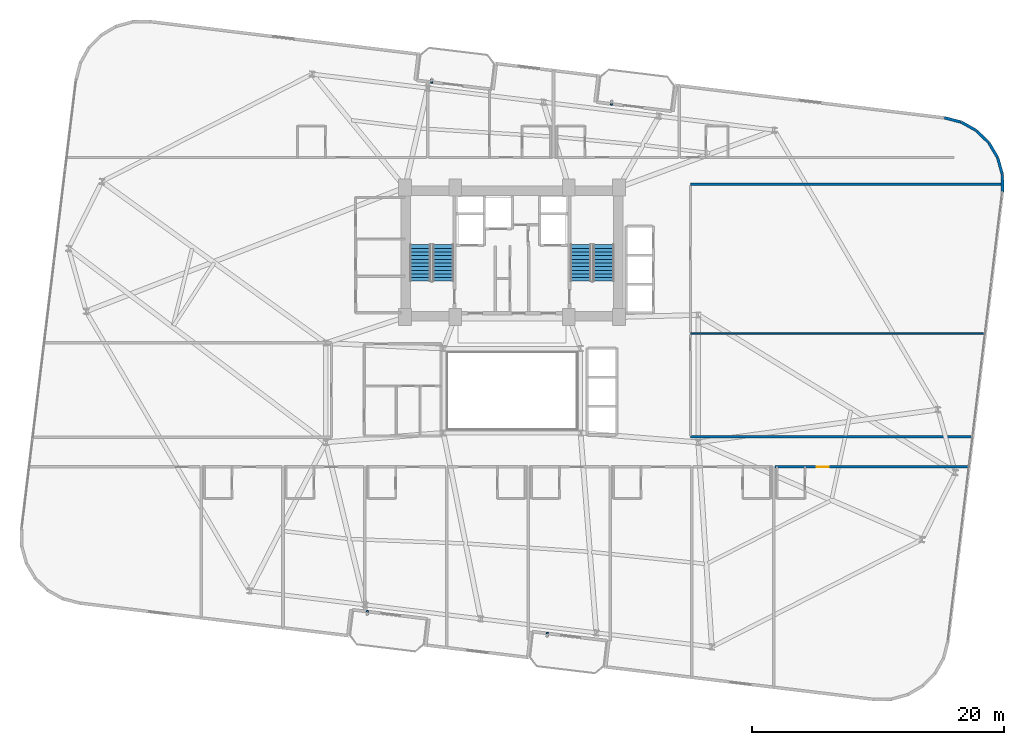
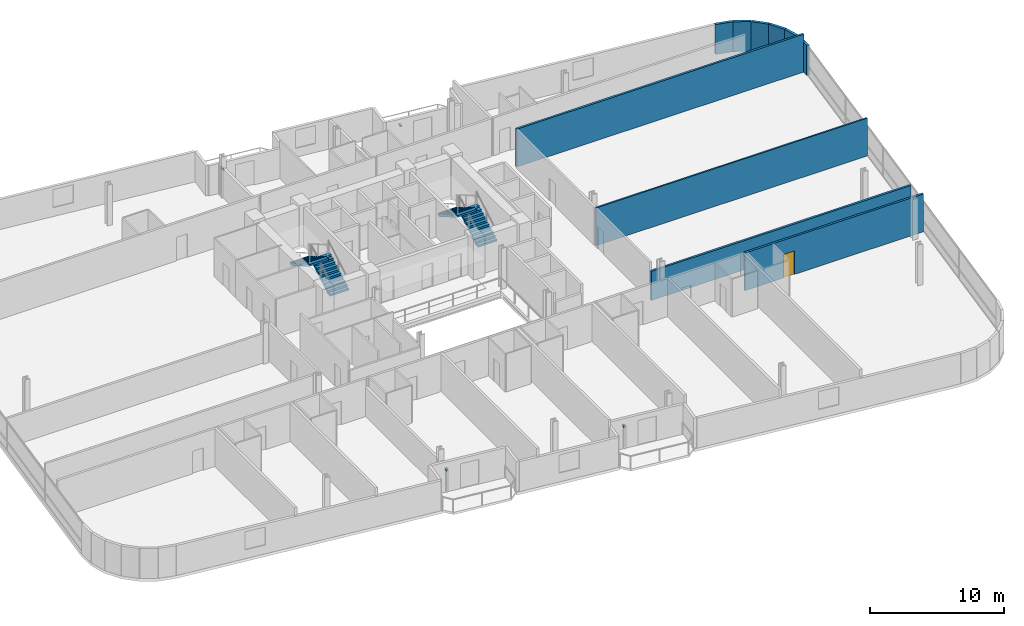
# One storey, part 24 of 26: 10 walls, 4 discrete accessories, 4 stair flights, 1 door, 1 opening, 2 elements without a shape of their own.
"""IFC4 building model written with IfcOpenShell, lengths in metres."""

import ifcopenshell
import ifcopenshell.guid

model = None  # the IFC model being written
_history = None  # IfcOwnerHistory: only IFC2X3 demands one
_inside = {}  # id of a spatial element -> (the spatial element, [elements in it])
_under = {}  # id of a project, library or spatial element -> (it, [spatial elements below it])
_declared = {}  # id of a project -> (the project, [libraries it declares])
_typed = {}  # id of a type object -> (the type object, [elements of that type])
_made_of = {}  # id of a material, layer set ... -> (it, [elements and type objects made of it])


def new_model(schema):
    """Start an empty IFC model of exactly this schema.

    Asked for "IFC4X3", IfcOpenShell would pick the latest addendum, in which some entities
    have other attributes; the version numbers below select the first issue.
    IFC2X3 requires an IfcOwnerHistory on every rooted entity: one is made here for all.
    """
    global model, _history
    if schema == "IFC4X3":
        model = ifcopenshell.file(schema_version=(4, 3, 0, 0))
    else:
        model = ifcopenshell.file(schema=schema)
    _inside.clear()
    _under.clear()
    _declared.clear()
    _typed.clear()
    _made_of.clear()
    _history = None
    if model.schema == "IFC2X3":
        org = make("IfcOrganization", Name="unknown")
        user = make(
            "IfcPersonAndOrganization",
            ThePerson=make("IfcPerson", FamilyName="unknown"),
            TheOrganization=org,
        )
        app = make(
            "IfcApplication",
            ApplicationDeveloper=org,
            Version="unknown",
            ApplicationFullName="unknown",
            ApplicationIdentifier="unknown",
        )
        _history = make(
            "IfcOwnerHistory",
            OwningUser=user,
            OwningApplication=app,
            ChangeAction="ADDED",
            CreationDate=0,
        )
    return model


def make(cls, **values):
    """One entity of the class cls with the attributes given. An attribute that is None is left unset."""
    return model.create_entity(
        cls, **{name: value for name, value in values.items() if value is not None}
    )


def rooted(cls, **values):
    """An entity with a GlobalId (a new one), such as an element, a storey or a relation."""
    return make(cls, GlobalId=ifcopenshell.guid.new(), OwnerHistory=_history, **values)


def si_unit(unit_type, name, prefix=None):
    """IfcSIUnit, for example si_unit("LENGTHUNIT", "METRE", prefix="MILLI")."""
    return make("IfcSIUnit", UnitType=unit_type, Prefix=prefix, Name=name)


def assignment(units):
    """IfcUnitAssignment: the units of a project."""
    return None if units is None else make("IfcUnitAssignment", Units=units)


def point(xyz):
    """IfcCartesianPoint."""
    return None if xyz is None else make("IfcCartesianPoint", Coordinates=xyz)


def direction(xyz):
    """IfcDirection."""
    return None if xyz is None else make("IfcDirection", DirectionRatios=xyz)


def frame(location, z_axis=None, x_axis=None):
    """IfcAxis2Placement3D, a coordinate frame: its origin and axes. An axis left out is left unset."""
    return make(
        "IfcAxis2Placement3D",
        Location=point(location),
        Axis=direction(z_axis),
        RefDirection=direction(x_axis),
    )


def frame_2d(location, x_axis=None):
    """IfcAxis2Placement2D, a coordinate frame in the plane: its origin and x axis."""
    return make(
        "IfcAxis2Placement2D", Location=point(location), RefDirection=direction(x_axis)
    )


def origin():
    """The frame at (0, 0, 0) with its axes left unset."""
    return frame((0.0, 0.0, 0.0))


def origin_2d():
    """The frame at (0, 0) in the plane with its x axis left unset."""
    return frame_2d((0.0, 0.0))


def place(relative_to, where):
    """IfcLocalPlacement: puts the frame where relative to a parent placement (None: the world)."""
    return make(
        "IfcLocalPlacement", PlacementRelTo=relative_to, RelativePlacement=where
    )


def context(
    kind, dimensions, precision=None, world=None, true_north=None, identifier=None
):
    """IfcGeometricRepresentationContext, for example the 3D "Model" context."""
    return make(
        "IfcGeometricRepresentationContext",
        ContextIdentifier=identifier,
        ContextType=kind,
        CoordinateSpaceDimension=dimensions,
        Precision=precision,
        WorldCoordinateSystem=world,
        TrueNorth=true_north,
    )


def subcontext(parent, identifier, kind, view, scale=None):
    """IfcGeometricRepresentationSubContext, for example "Body" below "Model"."""
    return make(
        "IfcGeometricRepresentationSubContext",
        ContextIdentifier=identifier,
        ContextType=kind,
        ParentContext=parent,
        TargetScale=scale,
        TargetView=view,
    )


def project(units=None, contexts=None):
    """IfcProject with its units and contexts."""
    return rooted(
        "IfcProject",
        Name="project",
        RepresentationContexts=contexts,
        UnitsInContext=assignment(units),
    )


def spatial(cls, under=None, at=None, **own):
    """A site, building, storey or space (cls), placed at a placement, below another one or the project."""
    s = rooted(cls, ObjectPlacement=at, **own)
    if under is not None:
        _under.setdefault(under.id(), (under, []))[1].append(s)
    return s


def polyline(points):
    """IfcPolyline through the points."""
    return make("IfcPolyline", Points=[point(p) for p in points])


def profile(cls, at=None, kind="AREA", **sizes):
    """A parametric profile (cls). Its sizes go by their IFC names, for example OverallWidth=200.0."""
    return make(cls, ProfileType=kind, Position=at, **sizes)


def rectangle(**sizes):
    """IfcRectangleProfileDef."""
    return profile("IfcRectangleProfileDef", **sizes)


def outline(outer, holes=None, kind="AREA"):
    """IfcArbitraryClosedProfileDef: a profile drawn as a closed curve; with holes, ...WithVoids."""
    if holes is None:
        return make("IfcArbitraryClosedProfileDef", ProfileType=kind, OuterCurve=outer)
    return make(
        "IfcArbitraryProfileDefWithVoids",
        ProfileType=kind,
        OuterCurve=outer,
        InnerCurves=holes,
    )


def extrude(swept, where, along, depth):
    """IfcExtrudedAreaSolid: the profile swept, set in the frame where, extruded along a direction by depth."""
    return make(
        "IfcExtrudedAreaSolid",
        SweptArea=swept,
        Position=where,
        ExtrudedDirection=direction(along),
        Depth=depth,
    )


def shape(context_of_items, identifier, shape_type, items):
    """IfcShapeRepresentation: the items that make up one representation, for example the "Body"."""
    return make(
        "IfcShapeRepresentation",
        ContextOfItems=context_of_items,
        RepresentationIdentifier=identifier,
        RepresentationType=shape_type,
        Items=items,
    )


def source(mapping_origin, context_of_items, identifier, shape_type, items):
    """IfcRepresentationMap: a shape defined once, which mapped items show again and again."""
    return make(
        "IfcRepresentationMap",
        MappingOrigin=mapping_origin,
        MappedRepresentation=shape(context_of_items, identifier, shape_type, items),
    )


def transform(
    local_origin,
    x_axis=None,
    y_axis=None,
    z_axis=None,
    scale=None,
    scale2=None,
    scale3=None,
    uniform=True,
):
    """IfcCartesianTransformationOperator3D, or its non-uniform kind. x_axis, y_axis, z_axis: its Axis1, 2, 3."""
    if uniform:
        return make(
            "IfcCartesianTransformationOperator3D",
            Axis1=direction(x_axis),
            Axis2=direction(y_axis),
            LocalOrigin=point(local_origin),
            Scale=scale,
            Axis3=direction(z_axis),
        )
    return make(
        "IfcCartesianTransformationOperator3DnonUniform",
        Axis1=direction(x_axis),
        Axis2=direction(y_axis),
        LocalOrigin=point(local_origin),
        Scale=scale,
        Axis3=direction(z_axis),
        Scale2=scale2,
        Scale3=scale3,
    )


def mapped(mapping_source, mapping_target):
    """IfcMappedItem: shows the shape of a source again, moved by a transform."""
    return make(
        "IfcMappedItem", MappingSource=mapping_source, MappingTarget=mapping_target
    )


def material(Name=None, Category=None):
    """IfcMaterial."""
    return make("IfcMaterial", Name=Name, Category=Category)


def layer(
    of_material, thickness, ventilated=None, Name=None, Category=None, Priority=None
):
    """IfcMaterialLayer: one layer of a wall or slab, of a material (None: an air gap)."""
    return make(
        "IfcMaterialLayer",
        Material=of_material,
        LayerThickness=thickness,
        IsVentilated=ventilated,
        Name=Name,
        Category=Category,
        Priority=Priority,
    )


def layer_set(layers, Name=None):
    """IfcMaterialLayerSet."""
    return make("IfcMaterialLayerSet", MaterialLayers=layers, LayerSetName=Name)


def made_of(thing, what):
    """Note that an element or type object is made of a material, layer set ...; save() writes the relation."""
    if what is not None:
        _made_of.setdefault(what.id(), (what, []))[1].append(thing)
    return thing


def type_object(cls, material=None, **own):
    """A type object (cls), such as IfcWallType, which elements share."""
    return made_of(rooted(cls, **own), material)


def element(
    cls,
    number,
    at=None,
    inside=None,
    cuts=None,
    type_object=None,
    material=None,
    context=None,
    identifier="Body",
    shape_type=None,
    held_by="IfcProductDefinitionShape",
    body=None,
    shapes=None,
    **own,
):
    """One element of the class cls, such as IfcWall. Its Tag is "e" and its number.

    at: its placement. inside: the storey or other place that contains it. cuts: it is an
    opening in that element (IfcRelVoidsElement). A single representation is given by context,
    identifier, shape_type and body (its items); several are given by shapes. held_by: the class
    of the entity that holds the representations. save() writes the other relations.
    """
    e = rooted(cls, Tag="e%d" % number, ObjectPlacement=at, **own)
    if body is not None:
        shapes = [shape(context, identifier, shape_type, body)]
    if shapes is not None:
        e.Representation = make(held_by, Representations=shapes)
    if inside is not None:
        _inside.setdefault(inside.id(), (inside, []))[1].append(e)
    if cuts is not None:
        rooted(
            "IfcRelVoidsElement", RelatingBuildingElement=cuts, RelatedOpeningElement=e
        )
    if type_object is not None:
        _typed.setdefault(type_object.id(), (type_object, []))[1].append(e)
    return made_of(e, material)


def fill(opening, filler):
    """IfcRelFillsElement: the door or window that sits in an opening."""
    return rooted(
        "IfcRelFillsElement",
        RelatingOpeningElement=opening,
        RelatedBuildingElement=filler,
    )


def aggregate(whole, parts):
    """IfcRelAggregates: a whole, such as a stair, and the parts it consists of."""
    return rooted("IfcRelAggregates", RelatingObject=whole, RelatedObjects=parts)


def save(model, path):
    """Write the relations noted so far, then the file.

    IfcRelAggregates (storeys below a building ...), IfcRelContainedInSpatialStructure (elements
    in a storey), IfcRelDefinesByType, IfcRelAssociatesMaterial and IfcRelDeclares: one each for
    every whole, place, type object, material and project.
    """
    for whole, parts in _under.values():
        aggregate(whole, parts)
    for where, things in _inside.values():
        rooted(
            "IfcRelContainedInSpatialStructure",
            RelatedElements=things,
            RelatingStructure=where,
        )
    for kind, things in _typed.values():
        rooted("IfcRelDefinesByType", RelatedObjects=things, RelatingType=kind)
    for what, things in _made_of.values():
        rooted("IfcRelAssociatesMaterial", RelatedObjects=things, RelatingMaterial=what)
    for by, libraries in _declared.values():
        rooted("IfcRelDeclares", RelatingContext=by, RelatedDefinitions=libraries)
    model.write(path)


model = new_model("IFC4")

# Units and contexts
model_context = context("Model", 3, precision=1e-05, world=origin(), true_north=direction((0.0, 1.0)))
body_context = subcontext(model_context, "Body", "Model", "MODEL_VIEW")
ifc_project = project(units=[si_unit("LENGTHUNIT", "METRE"), si_unit("AREAUNIT", "SQUARE_METRE"), si_unit("VOLUMEUNIT", "CUBIC_METRE"), si_unit("PLANEANGLEUNIT", "RADIAN"), si_unit("MASSUNIT", "GRAM", prefix="KILO")], contexts=[model_context])

# Site, building, storey
site_placement = place(None, origin())
site = spatial("IfcSite", under=ifc_project, at=site_placement, CompositionType="ELEMENT")
building_placement = place(site_placement, origin())
building = spatial("IfcBuilding", under=site, at=building_placement, Name="Varnelok Gate Tower", CompositionType="ELEMENT")
storey_placement = place(building_placement, frame((0.0, 0.0, 129.10009765625)))
storey = spatial("IfcBuildingStorey", under=building, at=storey_placement, Name="L32", CompositionType="ELEMENT", Elevation=129.10009765625)

# Walls
ifc_material_1 = material(Name="Concrete C45/55", Category="concrete")
ifc_layer_1 = layer(ifc_material_1, 0.219970703125)
ifc_layer_set_1 = layer_set([ifc_layer_1], Name="Concrete C45/55")
wall_type_1 = type_object("IfcWallType", Name="EW-BALC-220", PredefinedType="SOLIDWALL", material=ifc_layer_set_1)
wall_1_placement = place(storey_placement, frame((78.175537109375, 38.706787109375, 0.0), z_axis=(0.0, 0.0, 1.0), x_axis=(-0.010096916637, 0.999949024838, 0.0)))
element("IfcWall", 1, at=wall_1_placement, inside=storey, type_object=wall_type_1, Name="L32 Perimeter Facade Closure Wall 20", PredefinedType="SOLIDWALL", context=body_context, shape_type="SweptSolid", body=[
    extrude(rectangle(XDim=1.378173828125, YDim=0.219970703125, at=frame_2d((0.68896484375, 0.0))), origin(), (0.0, 0.0, 1.0), 2.72998046875),
])
wall_2_placement = place(storey_placement, frame((78.15478515625, 40.10888671875, 0.0), z_axis=(0.0, 0.0, 1.0), x_axis=(-0.268639368869, 0.963240826322, 0.0)))
element("IfcWall", 2, at=wall_2_placement, inside=storey, type_object=wall_type_1, Name="L32 Perimeter Facade Closure Wall 21", PredefinedType="SOLIDWALL", context=body_context, shape_type="SweptSolid", body=[
    extrude(rectangle(XDim=1.353271484375, YDim=0.219970703125, at=frame_2d((0.6767578125, 0.0))), origin(), (0.0, 0.0, 1.0), 2.72998046875),
])
for number, where, z_axis, x_axis, name in (
    (3, (77.7783203125, 41.433837890625, 0.0), (0.0, 0.0, 1.0), (-0.508698913794, 0.860944490142, 0.0), "L32 Perimeter Facade Closure Wall 22"),
    (4, (77.072265625, 42.6162109375, 0.0), (0.0, 0.0, 1.0), (-0.714376989847, 0.69976104234, 0.0), "L32 Perimeter Facade Closure Wall 23"),
    (5, (76.083740234375, 43.5751953125, 0.0), (0.0, 0.0, 1.0), (-0.871093268227, 0.491117621399, 0.0), "L32 Perimeter Facade Closure Wall 24"),
):
    element("IfcWall", number, at=place(storey_placement, frame(where, z_axis=z_axis, x_axis=x_axis)), inside=storey, type_object=wall_type_1, Name=name, PredefinedType="SOLIDWALL", context=body_context, shape_type="SweptSolid", body=[
        extrude(rectangle(XDim=1.35302734375, YDim=0.219970703125, at=frame_2d((0.676513671875, 0.0))), origin(), (0.0, 0.0, 1.0), 2.72998046875),
    ])
wall_3_placement = place(storey_placement, frame((74.880859375, 44.24609375, 0.0), z_axis=(0.0, 0.0, 1.0), x_axis=(-0.968549775063, 0.248819881091, 0.0)))
element("IfcWall", 6, at=wall_3_placement, inside=storey, type_object=wall_type_1, Name="L32 Perimeter Facade Closure Wall 25", PredefinedType="SOLIDWALL", context=body_context, shape_type="SweptSolid", body=[
    extrude(rectangle(XDim=1.36083984375, YDim=0.219970703125, at=frame_2d((0.680419921875, 0.0))), origin(), (0.0, 0.0, 1.0), 2.72998046875),
])

# Wall, opening, door
ifc_material_2 = material(Name="Gypsum Plasterboard Acoustic Partition", Category="gypsum")
ifc_layer_2 = layer(ifc_material_2, 0.179931640625)
ifc_layer_set_2 = layer_set([ifc_layer_2], Name="Gypsum Plasterboard Acoustic Partition")
wall_type_2 = type_object("IfcWallType", Name="PW-CORR-180", PredefinedType="PARTITIONING", material=ifc_layer_set_2)
wall_4_placement = place(storey_placement, frame((60.080078125, 16.85009765625, 0.0), z_axis=(0.0, 0.0, 1.0), x_axis=(1.0, 0.0, 0.0)))
wall_4 = element("IfcWall", 7, at=wall_4_placement, inside=storey, type_object=wall_type_2, Name="Interior Partition", PredefinedType="PARTITIONING", context=body_context, shape_type="SweptSolid", body=[
    extrude(rectangle(XDim=15.38671875, YDim=0.179931640625, at=frame_2d((7.693359375, 0.0))), origin(), (0.0, 0.0, 1.0), 3.449951171875),
])
opening_placement = place(wall_4_placement, frame((3.32470703125, 0.0, 0.0)))
opening = element("IfcOpeningElement", 8, at=opening_placement, cuts=wall_4, Name="Opening D-HT", PredefinedType="OPENING", context=body_context, shape_type="SweptSolid", body=[
    extrude(rectangle(XDim=0.949951171875, YDim=2.14990234375, at=frame_2d((0.47509765625, 1.074951171875))), frame((0.0, 0.099853515625, 0.0), z_axis=(0.0, -1.0, 0.0), x_axis=(1.0, 0.0, 0.0)), (0.0, 0.0, 1.0), 0.199951171875),
])
ifc_material_3 = material(Name="Engineered Hardwood Timber", Category="wood")
door_type = type_object("IfcDoorType", Name="DR-HTL-950", OperationType="NOTDEFINED", PredefinedType="DOOR", material=ifc_material_3)
door_placement = place(opening_placement, origin())
door = element("IfcDoor", 9, at=door_placement, inside=storey, type_object=door_type, Name="L32 Guest Room 09 Entrance Door", OperationType="SINGLE_SWING_RIGHT", OverallHeight=2.14990234375, OverallWidth=0.949951171875, PredefinedType="DOOR", context=body_context, shape_type="SweptSolid", body=[
    extrude(rectangle(XDim=0.949951171875, YDim=2.14990234375, at=frame_2d((0.47509765625, 1.074951171875))), frame((0.0, 0.02490234375, 0.0), z_axis=(0.0, -1.0, 0.0), x_axis=(1.0, 0.0, 0.0)), (0.0, 0.0, 1.0), 0.050048828125),
])
fill(opening, door)

# Walls
wall_5_placement = place(storey_placement, frame((53.389892578125, 19.239990234375, 0.0), z_axis=(0.0, 0.0, 1.0), x_axis=(1.0, 0.0, 0.0)))
element("IfcWall", 10, at=wall_5_placement, inside=storey, type_object=wall_type_2, Name="Interior Partition", PredefinedType="PARTITIONING", context=body_context, shape_type="SweptSolid", body=[
    extrude(rectangle(XDim=22.36669921875, YDim=0.179931640625, at=frame_2d((11.183349609375, 0.0))), origin(), (0.0, 0.0, 1.0), 2.661865234375),
])
wall_6_placement = place(storey_placement, frame((53.389892578125, 39.300048828125, 0.0), z_axis=(0.0, 0.0, 1.0), x_axis=(1.0, 0.0, 0.0)))
element("IfcWall", 11, at=wall_6_placement, inside=storey, type_object=wall_type_2, Name="Interior Partition", PredefinedType="PARTITIONING", context=body_context, shape_type="SweptSolid", body=[
    extrude(rectangle(XDim=24.73974609375, YDim=0.179931640625, at=frame_2d((12.369873046875, 0.0))), origin(), (0.0, 0.0, 1.0), 3.449951171875),
])
ifc_layer_3 = layer(ifc_material_2, 0.125)
ifc_layer_set_3 = layer_set([ifc_layer_3], Name="Gypsum Plasterboard Acoustic Partition")
wall_type_3 = type_object("IfcWallType", Name="PW-PART-125", PredefinedType="PARTITIONING", material=ifc_layer_set_3)
wall_7_placement = place(storey_placement, frame((53.389892578125, 27.449951171875, 0.0), z_axis=(0.0, 0.0, 1.0), x_axis=(1.0, 0.0, 0.0)))
element("IfcWall", 12, at=wall_7_placement, inside=storey, type_object=wall_type_3, Name="Interior Partition", PredefinedType="PARTITIONING", context=body_context, shape_type="SweptSolid", body=[
    extrude(rectangle(XDim=23.362060546875, YDim=0.125, at=frame_2d((11.68115234375, 0.0))), origin(), (0.0, 0.0, 1.0), 3.449951171875),
])

# Stair, stair flights
ifc_material_4 = material(Name="Concrete C50/60", Category="concrete")
stair_type = type_object("IfcStairType", Name="STR-CORE-1650", PredefinedType="HALF_TURN_STAIR", material=ifc_material_4)
stair_1_placement = place(storey_placement, origin())
stair_1 = element("IfcStair", 13, at=stair_1_placement, inside=storey, type_object=stair_type, Name="L32 Exit Stair ST-1", PredefinedType="HALF_TURN_STAIR")
stair_flight_type = type_object("IfcStairFlightType", Name="SFL-CORE-1650", PredefinedType="STRAIGHT", material=ifc_material_4)
stair_flight_1_placement = place(storey_placement, frame((33.72509765625, 31.60009765625, 0.0), z_axis=(0.0, 0.0, 1.0), x_axis=(0.0, 1.0, 0.0)))
stair_flight_1 = element("IfcStairFlight", 14, at=stair_flight_1_placement, type_object=stair_flight_type, Name="ST-1 flight 1", NumberOfRisers=11, NumberOfTreads=10, PredefinedType="STRAIGHT", RiserHeight=0.168181818, TreadLength=0.29, context=body_context, shape_type="SweptSolid", body=[
    extrude(outline(polyline([(0.0, 0.0), (0.0, 0.168212890625), (0.2900390625, 0.168212890625), (0.2900390625, 0.33642578125), (0.580078125, 0.33642578125), (0.580078125, 0.504638671875), (0.8701171875, 0.504638671875), (0.8701171875, 0.672607421875), (1.159912109375, 0.672607421875), (1.159912109375, 0.8408203125), (1.449951171875, 0.8408203125), (1.449951171875, 1.009033203125), (1.739990234375, 1.009033203125), (1.739990234375, 1.17724609375), (2.030029296875, 1.17724609375), (2.030029296875, 1.345458984375), (2.320068359375, 1.345458984375), (2.320068359375, 1.513671875), (2.610107421875, 1.513671875), (2.610107421875, 1.681884765625), (2.89990234375, 1.681884765625), (2.89990234375, 1.85009765625), (2.89990234375, 1.508544921875), (0.298828125, 0.0), (0.0, 0.0)])), frame((0.0, 0.824951171875, 0.0), z_axis=(0.0, -1.0, 0.0), x_axis=(1.0, 0.0, 0.0)), (0.0, 0.0, 1.0), 1.64990234375),
])
stair_flight_2_placement = place(storey_placement, frame((31.925048828125, 34.5, 1.849853515625), z_axis=(0.0, 0.0, 1.0), x_axis=(0.0, -1.0, 0.0)))
stair_flight_2 = element("IfcStairFlight", 15, at=stair_flight_2_placement, type_object=stair_flight_type, Name="ST-1 flight 2", NumberOfRisers=11, NumberOfTreads=10, PredefinedType="STRAIGHT", RiserHeight=0.168181818, TreadLength=0.29, context=body_context, shape_type="SweptSolid", body=[
    extrude(outline(polyline([(0.0, 0.0), (0.0, 0.168212890625), (0.2900390625, 0.168212890625), (0.2900390625, 0.33642578125), (0.580078125, 0.33642578125), (0.580078125, 0.504638671875), (0.8701171875, 0.504638671875), (0.8701171875, 0.672607421875), (1.159912109375, 0.672607421875), (1.159912109375, 0.8408203125), (1.449951171875, 0.8408203125), (1.449951171875, 1.009033203125), (1.739990234375, 1.009033203125), (1.739990234375, 1.17724609375), (2.030029296875, 1.17724609375), (2.030029296875, 1.345458984375), (2.320068359375, 1.345458984375), (2.320068359375, 1.513671875), (2.610107421875, 1.513671875), (2.610107421875, 1.681884765625), (2.89990234375, 1.681884765625), (2.89990234375, 1.85009765625), (2.89990234375, 1.508544921875), (0.298828125, 0.0), (0.0, 0.0)])), frame((0.0, 0.824951171875, 0.0), z_axis=(0.0, -1.0, 0.0), x_axis=(1.0, 0.0, 0.0)), (0.0, 0.0, 1.0), 1.64990234375),
])
aggregate(stair_1, [stair_flight_1, stair_flight_2])

stair_2_placement = place(storey_placement, origin())
stair_2 = element("IfcStair", 16, at=stair_2_placement, inside=storey, type_object=stair_type, Name="L32 Exit Stair ST-2", PredefinedType="HALF_TURN_STAIR")
stair_flight_3_placement = place(storey_placement, frame((46.47509765625, 31.60009765625, 0.0), z_axis=(0.0, 0.0, 1.0), x_axis=(0.0, 1.0, 0.0)))
stair_flight_3 = element("IfcStairFlight", 17, at=stair_flight_3_placement, type_object=stair_flight_type, Name="ST-2 flight 1", NumberOfRisers=11, NumberOfTreads=10, PredefinedType="STRAIGHT", RiserHeight=0.168181818, TreadLength=0.29, context=body_context, shape_type="SweptSolid", body=[
    extrude(outline(polyline([(0.0, 0.0), (0.0, 0.168212890625), (0.2900390625, 0.168212890625), (0.2900390625, 0.33642578125), (0.580078125, 0.33642578125), (0.580078125, 0.504638671875), (0.8701171875, 0.504638671875), (0.8701171875, 0.672607421875), (1.159912109375, 0.672607421875), (1.159912109375, 0.8408203125), (1.449951171875, 0.8408203125), (1.449951171875, 1.009033203125), (1.739990234375, 1.009033203125), (1.739990234375, 1.17724609375), (2.030029296875, 1.17724609375), (2.030029296875, 1.345458984375), (2.320068359375, 1.345458984375), (2.320068359375, 1.513671875), (2.610107421875, 1.513671875), (2.610107421875, 1.681884765625), (2.89990234375, 1.681884765625), (2.89990234375, 1.85009765625), (2.89990234375, 1.508544921875), (0.298828125, 0.0), (0.0, 0.0)])), frame((0.0, 0.824951171875, 0.0), z_axis=(0.0, -1.0, 0.0), x_axis=(1.0, 0.0, 0.0)), (0.0, 0.0, 1.0), 1.64990234375),
])
stair_flight_4_placement = place(storey_placement, frame((44.675048828125, 34.5, 1.849853515625), z_axis=(0.0, 0.0, 1.0), x_axis=(0.0, -1.0, 0.0)))
stair_flight_4 = element("IfcStairFlight", 18, at=stair_flight_4_placement, type_object=stair_flight_type, Name="ST-2 flight 2", NumberOfRisers=11, NumberOfTreads=10, PredefinedType="STRAIGHT", RiserHeight=0.168181818, TreadLength=0.29, context=body_context, shape_type="SweptSolid", body=[
    extrude(outline(polyline([(0.0, 0.0), (0.0, 0.168212890625), (0.2900390625, 0.168212890625), (0.2900390625, 0.33642578125), (0.580078125, 0.33642578125), (0.580078125, 0.504638671875), (0.8701171875, 0.504638671875), (0.8701171875, 0.672607421875), (1.159912109375, 0.672607421875), (1.159912109375, 0.8408203125), (1.449951171875, 0.8408203125), (1.449951171875, 1.009033203125), (1.739990234375, 1.009033203125), (1.739990234375, 1.17724609375), (2.030029296875, 1.17724609375), (2.030029296875, 1.345458984375), (2.320068359375, 1.345458984375), (2.320068359375, 1.513671875), (2.610107421875, 1.513671875), (2.610107421875, 1.681884765625), (2.89990234375, 1.681884765625), (2.89990234375, 1.85009765625), (2.89990234375, 1.508544921875), (0.298828125, 0.0), (0.0, 0.0)])), frame((0.0, 0.824951171875, 0.0), z_axis=(0.0, -1.0, 0.0), x_axis=(1.0, 0.0, 0.0)), (0.0, 0.0, 1.0), 1.64990234375),
])
aggregate(stair_2, [stair_flight_3, stair_flight_4])

# Discrete accessories
ifc_material_5 = material(Name="Structural Steel ASTM A500 Grade C", Category="steel")
discrete_accessory_type = type_object("IfcDiscreteAccessoryType", Name="ACC-BAGUETTE-BRK", PredefinedType="BRACKET", material=ifc_material_5)
shared_shape = source(origin(), body_context, "Body", "SweptSolid", [
    extrude(rectangle(XDim=0.159912109375, YDim=0.340087890625, at=origin_2d()), origin(), (0.0, 0.0, 1.0), 0.139892578125),
])
for number, where, z_axis, x_axis, name in (
    (19, (27.705810546875, 5.267578125, 1.97998046875), (0.0, 0.0, 1.0), (0.992732158755, -0.12034475881, 0.0), "L32 Terracotta Baguette Bracket 1.1"),
    (20, (42.0009765625, 3.53466796875, 1.97998046875), (0.0, 0.0, 1.0), (0.992732158755, -0.12034475881, 0.0), "L32 Terracotta Baguette Bracket 2.1"),
    (21, (32.8251953125, 47.49853515625, 1.97998046875), (0.0, 0.0, 1.0), (0.992732158755, -0.12034475881, 0.0), "L32 Terracotta Baguette Bracket 3.1"),
    (22, (47.12060546875, 45.765625, 1.97998046875), (0.0, 0.0, 1.0), (0.992732158755, -0.12034475881, 0.0), "L32 Terracotta Baguette Bracket 4.1"),
):
    element("IfcDiscreteAccessory", number, at=place(storey_placement, frame(where, z_axis=z_axis, x_axis=x_axis)), inside=storey, type_object=discrete_accessory_type, Name=name, PredefinedType="BRACKET", context=body_context, shape_type="MappedRepresentation", body=[
        mapped(shared_shape, transform((0.0, 0.0, 0.0), scale=1.0)),
    ])

save(model, "model.ifc")
